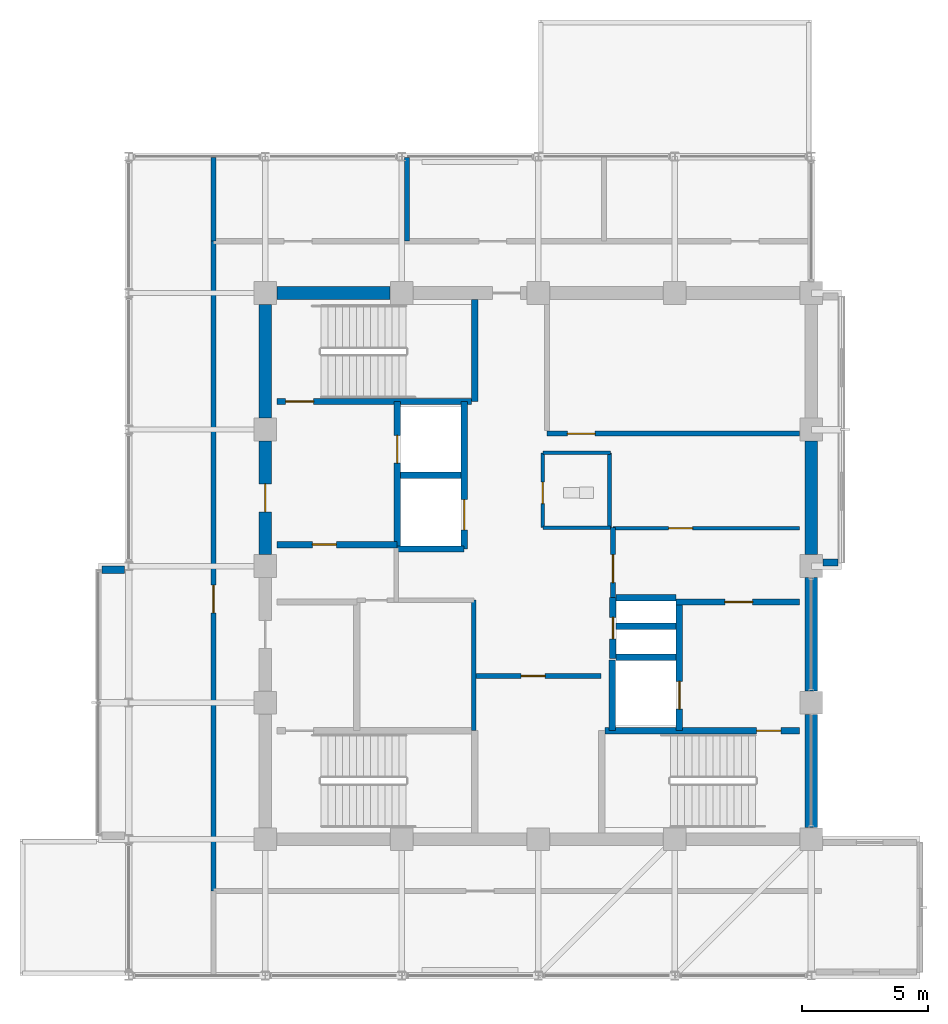
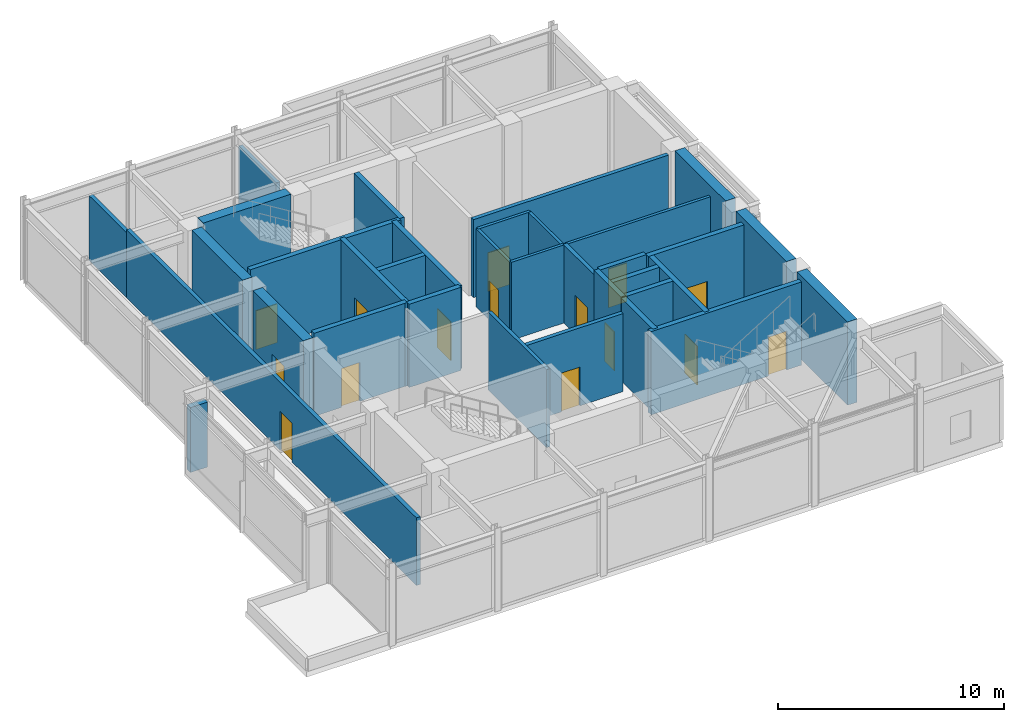
# One storey, part 14 of 18: 35 walls, 15 doors, 15 openings.
"""IFC4 building model written with IfcOpenShell, lengths in metres."""

from ifc_helpers import new_model, si_unit, direction, frame, frame_2d, origin, place, context, subcontext, project, spatial, rectangle, extrude, material, layer, layer_set, type_object, element, fill, save


model = new_model("IFC4")

# Units and contexts
model_context = context("Model", 3, precision=1e-05, world=origin(), true_north=direction((0.0, 1.0)))
body_context = subcontext(model_context, "Body", "Model", "MODEL_VIEW")
ifc_project = project(units=[si_unit("LENGTHUNIT", "METRE"), si_unit("AREAUNIT", "SQUARE_METRE"), si_unit("VOLUMEUNIT", "CUBIC_METRE"), si_unit("PLANEANGLEUNIT", "RADIAN"), si_unit("MASSUNIT", "GRAM", prefix="KILO")], contexts=[model_context])

# Site, building, storey
site_placement = place(None, origin())
site = spatial("IfcSite", under=ifc_project, at=site_placement, CompositionType="ELEMENT")
building_placement = place(site_placement, origin())
building = spatial("IfcBuilding", under=site, at=building_placement, Name="Surkhivell Harbour Commons", CompositionType="ELEMENT")
storey_placement = place(building_placement, frame((0.0, 0.0, 355.5)))
storey = spatial("IfcBuildingStorey", under=building, at=storey_placement, Name="L92", CompositionType="ELEMENT", Elevation=355.5)

# Walls
ifc_material_1 = material(Name="Concrete C50/60", Category="concrete")
ifc_layer_1 = layer(ifc_material_1, 0.5)
ifc_layer_set_1 = layer_set([ifc_layer_1], Name="Concrete C50/60")
wall_type_1 = type_object("IfcWallType", Name="WAL-CORE-500", PredefinedType="SHEAR", material=ifc_layer_set_1)
for number, where, z_axis, x_axis, name in (
    (1, (-10.340087890625, 10.800048828125, 0.0), (0.0, 0.0, 1.0), (1.0, 0.0, 0.0), "L92 Core Shear Wall North 1"),
    (2, (10.800048828125, -10.340087890625, 0.0), (0.0, 0.0, 1.0), (0.0, 1.0, 0.0), "L92 Core Shear Wall East 1"),
    (3, (10.800048828125, -4.93994140625, 0.0), (0.0, 0.0, 1.0), (0.0, 1.0, 0.0), "L92 Core Shear Wall East 2"),
):
    element("IfcWall", number, at=place(storey_placement, frame(where, z_axis=z_axis, x_axis=x_axis)), inside=storey, type_object=wall_type_1, Name=name, PredefinedType="SHEAR", context=body_context, shape_type="SweptSolid", body=[
        extrude(rectangle(XDim=4.47998046875, YDim=0.5, at=frame_2d((2.239990234375, 0.0))), origin(), (0.0, 0.0, 1.0), 4.5),
    ])

# Wall, opening, door
wall_1_placement = place(storey_placement, frame((-10.800048828125, 0.4599609375, 0.0), z_axis=(0.0, 0.0, 1.0), x_axis=(0.0, 1.0, 0.0)))
wall_1 = element("IfcWall", 4, at=wall_1_placement, inside=storey, type_object=wall_type_1, Name="L92 Core Shear Wall West 3", PredefinedType="SHEAR", context=body_context, shape_type="SweptSolid", body=[
    extrude(rectangle(XDim=4.47998046875, YDim=0.5, at=frame_2d((2.239990234375, 0.0))), origin(), (0.0, 0.0, 1.0), 4.5),
])
opening_1_placement = place(wall_1_placement, frame((1.68994140625, 0.0, 0.0)))
opening_1 = element("IfcOpeningElement", 5, at=opening_1_placement, cuts=wall_1, Name="Opening ID-1", PredefinedType="OPENING", context=body_context, shape_type="SweptSolid", body=[
    extrude(rectangle(XDim=1.10009765625, YDim=2.10009765625, at=frame_2d((0.550048828125, 1.050048828125))), frame((0.0, 0.260009765625, 0.0), z_axis=(0.0, -1.0, 0.0), x_axis=(1.0, 0.0, 0.0)), (0.0, 0.0, 1.0), 0.52001953125),
])
ifc_material_2 = material(Name="Hardwood-veneered fire-rated door leaf", Category="wood")
door_type_1 = type_object("IfcDoorType", Name="DOR-FD120-1100", OperationType="NOTDEFINED", PredefinedType="DOOR", material=ifc_material_2)
door_1_placement = place(opening_1_placement, origin())
door_1 = element("IfcDoor", 6, at=door_1_placement, inside=storey, type_object=door_type_1, Name="L92 Firefighting Lobby 1 Corridor Door", OperationType="SINGLE_SWING_LEFT", OverallHeight=2.10009765625, OverallWidth=1.10009765625, PredefinedType="DOOR", context=body_context, shape_type="SweptSolid", body=[
    extrude(rectangle(XDim=1.10009765625, YDim=2.10009765625, at=frame_2d((0.550048828125, 1.050048828125))), frame((0.0, 0.02490234375, 0.0), z_axis=(0.0, -1.0, 0.0), x_axis=(1.0, 0.0, 0.0)), (0.0, 0.0, 1.0), 0.050048828125),
])
fill(opening_1, door_1)

# Walls
for number, where, z_axis, x_axis, name in (
    (7, (10.800048828125, 0.4599609375, 0.0), (0.0, 0.0, 1.0), (0.0, 1.0, 0.0), "L92 Core Shear Wall East 3"),
    (8, (-10.800048828125, 5.860107421875, 0.0), (0.0, 0.0, 1.0), (0.0, 1.0, 0.0), "L92 Core Shear Wall West 4"),
):
    element("IfcWall", number, at=place(storey_placement, frame(where, z_axis=z_axis, x_axis=x_axis)), inside=storey, type_object=wall_type_1, Name=name, PredefinedType="SHEAR", context=body_context, shape_type="SweptSolid", body=[
        extrude(rectangle(XDim=4.47998046875, YDim=0.5, at=frame_2d((2.239990234375, 0.0))), origin(), (0.0, 0.0, 1.0), 4.5),
    ])
ifc_material_3 = material(Name="Flemish-bond kiln brick and precast concrete C45/55", Category="masonry")
ifc_layer_2 = layer(ifc_material_3, 0.300048828125)
ifc_layer_set_2 = layer_set([ifc_layer_2], Name="Flemish-bond kiln brick and precast concrete C45/55")
wall_type_2 = type_object("IfcWallType", Name="WAL-EXT-BRK300", PredefinedType="STANDARD", material=ifc_layer_set_2)
wall_2_placement = place(storey_placement, frame((-17.260009765625, -0.139892578125, 0.0), z_axis=(0.0, 0.0, 1.0), x_axis=(1.0, 0.0, 0.0)))
element("IfcWall", 9, at=wall_2_placement, inside=storey, type_object=wall_type_2, Name="L92 Coloured Box Return Wall 03N", PredefinedType="STANDARD", context=body_context, shape_type="SweptSolid", body=[
    extrude(rectangle(XDim=0.885986328125, YDim=0.300048828125, at=frame_2d((0.44287109375, 0.0))), origin(), (0.0, 0.0, 1.0), 3.507080078125),
])
ifc_material_4 = material(Name="Terracotta-clad reinforced concrete C45/55", Category="masonry")
ifc_layer_3 = layer(ifc_material_4, 0.280029296875)
ifc_layer_set_3 = layer_set([ifc_layer_3], Name="Terracotta-clad reinforced concrete C45/55")
wall_type_3 = type_object("IfcWallType", Name="WAL-EXT-TER280", PredefinedType="STANDARD", material=ifc_layer_set_3)
wall_3_placement = place(storey_placement, frame((11.25390625, 0.139892578125, 0.0), z_axis=(0.0, 0.0, 1.0), x_axis=(1.0, 0.0, 0.0)))
element("IfcWall", 10, at=wall_3_placement, inside=storey, type_object=wall_type_3, Name="L92 Coloured Box Return Wall 02S", PredefinedType="STANDARD", context=body_context, shape_type="SweptSolid", body=[
    extrude(rectangle(XDim=0.606201171875, YDim=0.280029296875, at=frame_2d((0.30322265625, 0.0))), origin(), (0.0, 0.0, 1.0), 3.507080078125),
])
ifc_material_5 = material(Name="Twin-stud acoustic fireboard partition", Category="other")
ifc_layer_4 = layer(ifc_material_5, 0.14990234375)
ifc_layer_set_4 = layer_set([ifc_layer_4], Name="Twin-stud acoustic fireboard partition")
wall_type_4 = type_object("IfcWallType", Name="WAL-INT-150", PredefinedType="PARTITIONING", material=ifc_layer_set_4)
wall_4_placement = place(storey_placement, frame((2.820068359375, 1.52001953125, 0.0), z_axis=(0.0, 0.0, 1.0), x_axis=(0.0, 1.0, 0.0)))
element("IfcWall", 11, at=wall_4_placement, inside=storey, type_object=wall_type_4, Name="L92 Core Accessible WC East Wall", PredefinedType="PARTITIONING", context=body_context, shape_type="SweptSolid", body=[
    extrude(rectangle(XDim=2.9599609375, YDim=0.14990234375, at=frame_2d((1.47998046875, 0.0))), origin(), (0.0, 0.0, 1.0), 4.219970703125),
])
for number, where, z_axis, x_axis, name in (
    (12, (0.179931640625, 4.47998046875, 0.0), (0.0, 0.0, 1.0), (1.0, 0.0, 0.0), "L92 Core Accessible WC North Wall"),
    (13, (0.179931640625, 1.52001953125, 0.0), (0.0, 0.0, 1.0), (1.0, 0.0, 0.0), "L92 Core Accessible WC South Wall"),
):
    element("IfcWall", number, at=place(storey_placement, frame(where, z_axis=z_axis, x_axis=x_axis)), inside=storey, type_object=wall_type_4, Name=name, PredefinedType="PARTITIONING", context=body_context, shape_type="SweptSolid", body=[
        extrude(rectangle(XDim=2.670166015625, YDim=0.14990234375, at=frame_2d((1.3349609375, 0.0))), origin(), (0.0, 0.0, 1.0), 4.219970703125),
    ])

# Wall, opening, door
wall_5_placement = place(storey_placement, frame((0.179931640625, 1.52001953125, 0.0), z_axis=(0.0, 0.0, 1.0), x_axis=(0.0, 1.0, 0.0)))
wall_5 = element("IfcWall", 14, at=wall_5_placement, inside=storey, type_object=wall_type_4, Name="L92 Core Accessible WC West Wall", PredefinedType="PARTITIONING", context=body_context, shape_type="SweptSolid", body=[
    extrude(rectangle(XDim=2.9599609375, YDim=0.14990234375, at=frame_2d((1.47998046875, 0.0))), origin(), (0.0, 0.0, 1.0), 4.219970703125),
])
opening_2_placement = place(wall_5_placement, frame((0.949951171875, 0.0, 0.0)))
opening_2 = element("IfcOpeningElement", 15, at=opening_2_placement, cuts=wall_5, Name="Opening ID-6", PredefinedType="OPENING", context=body_context, shape_type="SweptSolid", body=[
    extrude(rectangle(XDim=0.85009765625, YDim=2.10009765625, at=frame_2d((0.425048828125, 1.050048828125))), frame((0.0, 0.0849609375, 0.0), z_axis=(0.0, -1.0, 0.0), x_axis=(1.0, 0.0, 0.0)), (0.0, 0.0, 1.0), 0.169921875),
])
door_type_2 = type_object("IfcDoorType", Name="DOR-FD30-850", OperationType="NOTDEFINED", PredefinedType="DOOR", material=ifc_material_2)
door_2_placement = place(opening_2_placement, origin())
door_2 = element("IfcDoor", 16, at=door_2_placement, inside=storey, type_object=door_type_2, Name="L92 Floor Accessible WC Door", OperationType="SINGLE_SWING_RIGHT", OverallHeight=2.10009765625, OverallWidth=0.85009765625, PredefinedType="DOOR", context=body_context, shape_type="SweptSolid", body=[
    extrude(rectangle(XDim=0.85009765625, YDim=2.10009765625, at=frame_2d((0.425048828125, 1.050048828125))), frame((0.0, 0.02490234375, 0.0), z_axis=(0.0, -1.0, 0.0), x_axis=(1.0, 0.0, 0.0)), (0.0, 0.0, 1.0), 0.050048828125),
])
fill(opening_2, door_2)

wall_6_placement = place(storey_placement, frame((2.949951171875, 1.5, 0.0), z_axis=(0.0, 0.0, 1.0), x_axis=(1.0, 0.0, 0.0)))
wall_6 = element("IfcWall", 17, at=wall_6_placement, inside=storey, type_object=wall_type_4, Name="L92 Crown East Core Corridor Wall", PredefinedType="PARTITIONING", context=body_context, shape_type="SweptSolid", body=[
    extrude(rectangle(XDim=7.39013671875, YDim=0.14990234375, at=frame_2d((3.695068359375, 0.0))), origin(), (0.0, 0.0, 1.0), 4.219970703125),
])
opening_3_placement = place(wall_6_placement, frame((2.199951171875, 0.0, 0.0)))
opening_3 = element("IfcOpeningElement", 18, at=opening_3_placement, cuts=wall_6, Name="Opening ID-4", PredefinedType="OPENING", context=body_context, shape_type="SweptSolid", body=[
    extrude(rectangle(XDim=0.949951171875, YDim=2.10009765625, at=frame_2d((0.47509765625, 1.050048828125))), frame((0.0, 0.0849609375, 0.0), z_axis=(0.0, -1.0, 0.0), x_axis=(1.0, 0.0, 0.0)), (0.0, 0.0, 1.0), 0.169921875),
])
door_type_3 = type_object("IfcDoorType", Name="DOR-FD60-950", OperationType="NOTDEFINED", PredefinedType="DOOR", material=ifc_material_2)
door_3_placement = place(opening_3_placement, origin())
door_3 = element("IfcDoor", 19, at=door_3_placement, inside=storey, type_object=door_type_3, Name="L92 Crown East Room Door", OperationType="SINGLE_SWING_RIGHT", OverallHeight=2.10009765625, OverallWidth=0.949951171875, PredefinedType="DOOR", context=body_context, shape_type="SweptSolid", body=[
    extrude(rectangle(XDim=0.949951171875, YDim=2.10009765625, at=frame_2d((0.47509765625, 1.050048828125))), frame((0.0, 0.02490234375, 0.0), z_axis=(0.0, -1.0, 0.0), x_axis=(1.0, 0.0, 0.0)), (0.0, 0.0, 1.0), 0.050048828125),
])
fill(opening_3, door_3)

# Wall
ifc_material_6 = material(Name="High-density acoustic blockwork fire partition", Category="masonry")
ifc_layer_5 = layer(ifc_material_6, 0.175048828125)
ifc_layer_set_5 = layer_set([ifc_layer_5], Name="High-density acoustic blockwork fire partition")
wall_type_5 = type_object("IfcWallType", Name="WAL-INT-175", PredefinedType="PARTITIONING", material=ifc_layer_set_5)
wall_7_placement = place(storey_placement, frame((-2.550048828125, -6.510009765625, 0.0), z_axis=(0.0, 0.0, 1.0), x_axis=(0.0, 1.0, 0.0)))
element("IfcWall", 20, at=wall_7_placement, inside=storey, type_object=wall_type_5, Name="L92 Core Service Bay East Wall", PredefinedType="PARTITIONING", context=body_context, shape_type="SweptSolid", body=[
    extrude(rectangle(XDim=5.159912109375, YDim=0.175048828125, at=frame_2d((2.580078125, 0.0))), origin(), (0.0, 0.0, 1.0), 4.219970703125),
])

# Wall, opening, door
ifc_material_7 = material(Name="Autoclaved aerated concrete blockwork and fire plaster", Category="masonry")
ifc_layer_6 = layer(ifc_material_7, 0.199951171875)
ifc_layer_set_6 = layer_set([ifc_layer_6], Name="Autoclaved aerated concrete blockwork and fire plaster")
wall_type_6 = type_object("IfcWallType", Name="WAL-INT-200", PredefinedType="PARTITIONING", material=ifc_layer_set_6)
wall_8_placement = place(storey_placement, frame((-2.47998046875, -4.35009765625, 0.0), z_axis=(0.0, 0.0, 1.0), x_axis=(1.0, 0.0, 0.0)))
wall_8 = element("IfcWall", 21, at=wall_8_placement, inside=storey, type_object=wall_type_6, Name="L92 Core Maintenance Store North Wall", PredefinedType="PARTITIONING", context=body_context, shape_type="SweptSolid", body=[
    extrude(rectangle(XDim=4.9599609375, YDim=0.199951171875, at=frame_2d((2.47998046875, 0.0))), origin(), (0.0, 0.0, 1.0), 4.219970703125),
])
opening_4_placement = place(wall_8_placement, frame((1.800048828125, 0.0, 0.0)))
opening_4 = element("IfcOpeningElement", 22, at=opening_4_placement, cuts=wall_8, Name="Opening ID-4", PredefinedType="OPENING", context=body_context, shape_type="SweptSolid", body=[
    extrude(rectangle(XDim=0.949951171875, YDim=2.10009765625, at=frame_2d((0.47509765625, 1.050048828125))), frame((0.0, 0.10986328125, 0.0), z_axis=(0.0, -1.0, 0.0), x_axis=(1.0, 0.0, 0.0)), (0.0, 0.0, 1.0), 0.219970703125),
])
door_4_placement = place(opening_4_placement, origin())
door_4 = element("IfcDoor", 23, at=door_4_placement, inside=storey, type_object=door_type_3, Name="L92 Maintenance Store Door", OperationType="SINGLE_SWING_LEFT", OverallHeight=2.10009765625, OverallWidth=0.949951171875, PredefinedType="DOOR", context=body_context, shape_type="SweptSolid", body=[
    extrude(rectangle(XDim=0.949951171875, YDim=2.10009765625, at=frame_2d((0.47509765625, 1.050048828125))), frame((0.0, 0.02490234375, 0.0), z_axis=(0.0, -1.0, 0.0), x_axis=(1.0, 0.0, 0.0)), (0.0, 0.0, 1.0), 0.050048828125),
])
fill(opening_4, door_4)

wall_9_placement = place(storey_placement, frame((0.35009765625, 5.239990234375, 0.0), z_axis=(0.0, 0.0, 1.0), x_axis=(1.0, 0.0, 0.0)))
wall_9 = element("IfcWall", 24, at=wall_9_placement, inside=storey, type_object=wall_type_6, Name="L92 Reclaimed Core North Bay South Wall", PredefinedType="PARTITIONING", context=body_context, shape_type="SweptSolid", body=[
    extrude(rectangle(XDim=9.989990234375, YDim=0.199951171875, at=frame_2d((4.9951171875, 0.0))), origin(), (0.0, 0.0, 1.0), 4.219970703125),
])
opening_5_placement = place(wall_9_placement, frame((0.800048828125, 0.0, 0.0)))
opening_5 = element("IfcOpeningElement", 25, at=opening_5_placement, cuts=wall_9, Name="Opening ID-2", PredefinedType="OPENING", context=body_context, shape_type="SweptSolid", body=[
    extrude(rectangle(XDim=1.10009765625, YDim=2.10009765625, at=frame_2d((0.550048828125, 1.050048828125))), frame((0.0, 0.10986328125, 0.0), z_axis=(0.0, -1.0, 0.0), x_axis=(1.0, 0.0, 0.0)), (0.0, 0.0, 1.0), 0.219970703125),
])
door_type_4 = type_object("IfcDoorType", Name="DOR-FD60-1100", OperationType="NOTDEFINED", PredefinedType="DOOR", material=ifc_material_2)
door_5_placement = place(opening_5_placement, origin())
door_5 = element("IfcDoor", 26, at=door_5_placement, inside=storey, type_object=door_type_4, Name="L92 Core Fan Room Door", OperationType="SINGLE_SWING_LEFT", OverallHeight=2.10009765625, OverallWidth=1.10009765625, PredefinedType="DOOR", context=body_context, shape_type="SweptSolid", body=[
    extrude(rectangle(XDim=1.10009765625, YDim=2.10009765625, at=frame_2d((0.550048828125, 1.050048828125))), frame((0.0, 0.02490234375, 0.0), z_axis=(0.0, -1.0, 0.0), x_axis=(1.0, 0.0, 0.0)), (0.0, 0.0, 1.0), 0.050048828125),
])
fill(opening_5, door_5)

# Wall
wall_10_placement = place(storey_placement, frame((-5.199951171875, 12.85009765625, 0.0), z_axis=(0.0, 0.0, 1.0), x_axis=(0.0, 1.0, 0.0)))
element("IfcWall", 27, at=wall_10_placement, inside=storey, type_object=wall_type_6, Name="L92 Cooling Bay Wall 1", PredefinedType="PARTITIONING", context=body_context, shape_type="SweptSolid", body=[
    extrude(rectangle(XDim=3.309814453125, YDim=0.199951171875, at=frame_2d((1.65478515625, 0.0))), origin(), (0.0, 0.0, 1.0), 3.507080078125),
])

# Wall, opening, door
wall_11_placement = place(storey_placement, frame((2.949951171875, -1.25, 0.0), z_axis=(0.0, 0.0, 1.0), x_axis=(0.0, 1.0, 0.0)))
wall_11 = element("IfcWall", 28, at=wall_11_placement, inside=storey, type_object=wall_type_6, Name="L92 Reclaimed East Core West Wall", PredefinedType="PARTITIONING", context=body_context, shape_type="SweptSolid", body=[
    extrude(rectangle(XDim=2.77001953125, YDim=0.199951171875, at=frame_2d((1.385009765625, 0.0))), origin(), (0.0, 0.0, 1.0), 4.219970703125),
])
opening_6_placement = place(wall_11_placement, frame((0.60009765625, 0.0, 0.0)))
opening_6 = element("IfcOpeningElement", 29, at=opening_6_placement, cuts=wall_11, Name="Opening ID-2", PredefinedType="OPENING", context=body_context, shape_type="SweptSolid", body=[
    extrude(rectangle(XDim=1.10009765625, YDim=2.10009765625, at=frame_2d((0.550048828125, 1.050048828125))), frame((0.0, 0.10986328125, 0.0), z_axis=(0.0, -1.0, 0.0), x_axis=(1.0, 0.0, 0.0)), (0.0, 0.0, 1.0), 0.219970703125),
])
door_6_placement = place(opening_6_placement, origin())
door_6 = element("IfcDoor", 30, at=door_6_placement, inside=storey, type_object=door_type_4, Name="L92 Crown East Escape Door", OperationType="SINGLE_SWING_LEFT", OverallHeight=2.10009765625, OverallWidth=1.10009765625, PredefinedType="DOOR", context=body_context, shape_type="SweptSolid", body=[
    extrude(rectangle(XDim=1.10009765625, YDim=2.10009765625, at=frame_2d((0.550048828125, 1.050048828125))), frame((0.0, 0.02490234375, 0.0), z_axis=(0.0, -1.0, 0.0), x_axis=(1.0, 0.0, 0.0)), (0.0, 0.0, 1.0), 0.050048828125),
])
fill(opening_6, door_6)

# Wall
wall_12_placement = place(storey_placement, frame((-12.85009765625, 12.85009765625, 0.0), z_axis=(0.0, 0.0, 1.0), x_axis=(0.0, 1.0, 0.0)))
element("IfcWall", 31, at=wall_12_placement, inside=storey, type_object=wall_type_6, Name="L92 Crown NW Corner Wall", PredefinedType="PARTITIONING", context=body_context, shape_type="SweptSolid", body=[
    extrude(rectangle(XDim=3.309814453125, YDim=0.199951171875, at=frame_2d((1.65478515625, 0.0))), origin(), (0.0, 0.0, 1.0), 3.507080078125),
])

# Wall, opening, door
wall_13_placement = place(storey_placement, frame((-12.85009765625, -12.85009765625, 0.0), z_axis=(0.0, 0.0, 1.0), x_axis=(0.0, 1.0, 0.0)))
wall_13 = element("IfcWall", 32, at=wall_13_placement, inside=storey, type_object=wall_type_6, Name="L92 Crown Corridor West Wall", PredefinedType="PARTITIONING", context=body_context, shape_type="SweptSolid", body=[
    extrude(rectangle(XDim=25.7001953125, YDim=0.199951171875, at=frame_2d((12.85009765625, 0.0))), origin(), (0.0, 0.0, 1.0), 3.6630859375),
])
opening_7_placement = place(wall_13_placement, frame((11.0, 0.0, 0.0)))
opening_7 = element("IfcOpeningElement", 33, at=opening_7_placement, cuts=wall_13, Name="Opening ID-2", PredefinedType="OPENING", context=body_context, shape_type="SweptSolid", body=[
    extrude(rectangle(XDim=1.10009765625, YDim=2.10009765625, at=frame_2d((0.550048828125, 1.050048828125))), frame((0.0, 0.10986328125, 0.0), z_axis=(0.0, -1.0, 0.0), x_axis=(1.0, 0.0, 0.0)), (0.0, 0.0, 1.0), 0.219970703125),
])
door_7_placement = place(opening_7_placement, origin())
door_7 = element("IfcDoor", 34, at=door_7_placement, inside=storey, type_object=door_type_4, Name="L92 L92 Make-Up Water Tank Hall Door", OperationType="SINGLE_SWING_LEFT", OverallHeight=2.10009765625, OverallWidth=1.10009765625, PredefinedType="DOOR", context=body_context, shape_type="SweptSolid", body=[
    extrude(rectangle(XDim=1.10009765625, YDim=2.10009765625, at=frame_2d((0.550048828125, 1.050048828125))), frame((0.0, 0.02490234375, 0.0), z_axis=(0.0, -1.0, 0.0), x_axis=(1.0, 0.0, 0.0)), (0.0, 0.0, 1.0), 0.050048828125),
])
fill(opening_7, door_7)

ifc_layer_7 = layer(ifc_material_1, 0.25)
ifc_layer_set_7 = layer_set([ifc_layer_7], Name="Concrete C50/60")
wall_type_7 = type_object("IfcWallType", Name="WAL-SHAFT-250", PredefinedType="SHEAR", material=ifc_layer_set_7)
wall_14_placement = place(storey_placement, frame((-5.580078125, 0.719970703125, 0.0), z_axis=(0.0, 0.0, 1.0), x_axis=(0.0, 1.0, 0.0)))
wall_14 = element("IfcWall", 35, at=wall_14_placement, inside=storey, type_object=wall_type_7, Name="L92 Firefighting Lobby 1 East Shaft Wall", PredefinedType="SHEAR", context=body_context, shape_type="SweptSolid", body=[
    extrude(rectangle(XDim=5.7900390625, YDim=0.25, at=frame_2d((2.89501953125, 0.0))), origin(), (0.0, 0.0, 1.0), 4.5),
])
opening_8_placement = place(wall_14_placement, frame((3.35009765625, 0.0, 0.0)))
opening_8 = element("IfcOpeningElement", 36, at=opening_8_placement, cuts=wall_14, Name="Opening LD-1", PredefinedType="OPENING", context=body_context, shape_type="SweptSolid", body=[
    extrude(rectangle(XDim=1.10009765625, YDim=2.10009765625, at=frame_2d((0.550048828125, 1.050048828125))), frame((0.0, 0.135009765625, 0.0), z_axis=(0.0, -1.0, 0.0), x_axis=(1.0, 0.0, 0.0)), (0.0, 0.0, 1.0), 0.27001953125),
])
ifc_material_8 = material(Name="Brushed stainless steel S355", Category="steel")
door_type_5 = type_object("IfcDoorType", Name="DOR-LD-1100", OperationType="SLIDING_TO_LEFT", PredefinedType="DOOR", material=ifc_material_8)
door_8_placement = place(opening_8_placement, origin())
door_8 = element("IfcDoor", 37, at=door_8_placement, inside=storey, type_object=door_type_5, Name="L92 Lift Landing Door LD-FFL1", OperationType="SLIDING_TO_LEFT", OverallHeight=2.10009765625, OverallWidth=1.10009765625, PredefinedType="DOOR", context=body_context, shape_type="SweptSolid", body=[
    extrude(rectangle(XDim=1.10009765625, YDim=2.10009765625, at=frame_2d((0.550048828125, 1.050048828125))), frame((0.0, 0.02490234375, 0.0), z_axis=(0.0, -1.0, 0.0), x_axis=(1.0, 0.0, 0.0)), (0.0, 0.0, 1.0), 0.050048828125),
])
fill(opening_8, door_8)

wall_15_placement = place(storey_placement, frame((-10.340087890625, 0.85009765625, 0.0), z_axis=(0.0, 0.0, 1.0), x_axis=(1.0, 0.0, 0.0)))
wall_15 = element("IfcWall", 38, at=wall_15_placement, inside=storey, type_object=wall_type_7, Name="L92 Firefighting Lobby 1 South Wall", PredefinedType="SHEAR", context=body_context, shape_type="SweptSolid", body=[
    extrude(rectangle(XDim=4.760009765625, YDim=0.25, at=frame_2d((2.3798828125, 0.0))), origin(), (0.0, 0.0, 1.0), 4.5),
])
opening_9_placement = place(wall_15_placement, frame((1.39990234375, 0.0, 0.0)))
opening_9 = element("IfcOpeningElement", 39, at=opening_9_placement, cuts=wall_15, Name="Opening ID-4", PredefinedType="OPENING", context=body_context, shape_type="SweptSolid", body=[
    extrude(rectangle(XDim=0.949951171875, YDim=2.10009765625, at=frame_2d((0.47509765625, 1.050048828125))), frame((0.0, 0.135009765625, 0.0), z_axis=(0.0, -1.0, 0.0), x_axis=(1.0, 0.0, 0.0)), (0.0, 0.0, 1.0), 0.27001953125),
])
door_9_placement = place(opening_9_placement, origin())
door_9 = element("IfcDoor", 40, at=door_9_placement, inside=storey, type_object=door_type_3, Name="L92 Core BMS Room Door", OperationType="SINGLE_SWING_RIGHT", OverallHeight=2.10009765625, OverallWidth=0.949951171875, PredefinedType="DOOR", context=body_context, shape_type="SweptSolid", body=[
    extrude(rectangle(XDim=0.949951171875, YDim=2.10009765625, at=frame_2d((0.47509765625, 1.050048828125))), frame((0.0, 0.02490234375, 0.0), z_axis=(0.0, -1.0, 0.0), x_axis=(1.0, 0.0, 0.0)), (0.0, 0.0, 1.0), 0.050048828125),
])
fill(opening_9, door_9)

# Wall
wall_16_placement = place(storey_placement, frame((2.929931640625, -6.510009765625, 0.0), z_axis=(0.0, 0.0, 1.0), x_axis=(0.0, 1.0, 0.0)))
element("IfcWall", 41, at=wall_16_placement, inside=storey, type_object=wall_type_7, Name="L92 FFL2 West Shaft Wall", PredefinedType="SHEAR", context=body_context, shape_type="SweptSolid", body=[
    extrude(rectangle(XDim=2.7900390625, YDim=0.25, at=frame_2d((1.39501953125, 0.0))), origin(), (0.0, 0.0, 1.0), 4.5),
])

# Wall, opening, door
wall_17_placement = place(storey_placement, frame((5.43994140625, -1.419921875, 0.0), z_axis=(0.0, 0.0, 1.0), x_axis=(1.0, 0.0, 0.0)))
wall_17 = element("IfcWall", 42, at=wall_17_placement, inside=storey, type_object=wall_type_7, Name="L92 Firefighting Lobby 2 North Wall", PredefinedType="SHEAR", context=body_context, shape_type="SweptSolid", body=[
    extrude(rectangle(XDim=4.900146484375, YDim=0.25, at=frame_2d((2.4501953125, 0.0))), origin(), (0.0, 0.0, 1.0), 4.5),
])
opening_10_placement = place(wall_17_placement, frame((1.93994140625, 0.0, 0.0)))
opening_10 = element("IfcOpeningElement", 43, at=opening_10_placement, cuts=wall_17, Name="Opening ID-1", PredefinedType="OPENING", context=body_context, shape_type="SweptSolid", body=[
    extrude(rectangle(XDim=1.10009765625, YDim=2.10009765625, at=frame_2d((0.550048828125, 1.050048828125))), frame((0.0, 0.135009765625, 0.0), z_axis=(0.0, -1.0, 0.0), x_axis=(1.0, 0.0, 0.0)), (0.0, 0.0, 1.0), 0.27001953125),
])
door_10_placement = place(opening_10_placement, origin())
door_10 = element("IfcDoor", 44, at=door_10_placement, inside=storey, type_object=door_type_1, Name="L92 Firefighting Lobby 2 Inner Door", OperationType="SINGLE_SWING_LEFT", OverallHeight=2.10009765625, OverallWidth=1.10009765625, PredefinedType="DOOR", context=body_context, shape_type="SweptSolid", body=[
    extrude(rectangle(XDim=1.10009765625, YDim=2.10009765625, at=frame_2d((0.550048828125, 1.050048828125))), frame((0.0, 0.02490234375, 0.0), z_axis=(0.0, -1.0, 0.0), x_axis=(1.0, 0.0, 0.0)), (0.0, 0.0, 1.0), 0.050048828125),
])
fill(opening_10, door_10)

# Wall
wall_18_placement = place(storey_placement, frame((3.080078125, -3.60009765625, 0.0), z_axis=(0.0, 0.0, 1.0), x_axis=(1.0, 0.0, 0.0)))
element("IfcWall", 45, at=wall_18_placement, inside=storey, type_object=wall_type_7, Name="L92 FFL2 North Shaft Wall", PredefinedType="SHEAR", context=body_context, shape_type="SweptSolid", body=[
    extrude(rectangle(XDim=2.369873046875, YDim=0.25, at=frame_2d((1.18505859375, 0.0))), origin(), (0.0, 0.0, 1.0), 4.5),
])

# Wall, opening, door
wall_19_placement = place(storey_placement, frame((5.580078125, -6.510009765625, 0.0), z_axis=(0.0, 0.0, 1.0), x_axis=(0.0, 1.0, 0.0)))
wall_19 = element("IfcWall", 46, at=wall_19_placement, inside=storey, type_object=wall_type_7, Name="L92 Firefighting Lobby 2 West Shaft Wall", PredefinedType="SHEAR", context=body_context, shape_type="SweptSolid", body=[
    extrude(rectangle(XDim=5.090087890625, YDim=0.25, at=frame_2d((2.544921875, 0.0))), origin(), (0.0, 0.0, 1.0), 4.5),
])
opening_11_placement = place(wall_19_placement, frame((0.85009765625, 0.0, 0.0)))
opening_11 = element("IfcOpeningElement", 47, at=opening_11_placement, cuts=wall_19, Name="Opening LD-1", PredefinedType="OPENING", context=body_context, shape_type="SweptSolid", body=[
    extrude(rectangle(XDim=1.10009765625, YDim=2.10009765625, at=frame_2d((0.550048828125, 1.050048828125))), frame((0.0, 0.135009765625, 0.0), z_axis=(0.0, -1.0, 0.0), x_axis=(1.0, 0.0, 0.0)), (0.0, 0.0, 1.0), 0.27001953125),
])
door_11_placement = place(opening_11_placement, origin())
door_11 = element("IfcDoor", 48, at=door_11_placement, inside=storey, type_object=door_type_5, Name="L92 Lift Landing Door LD-FFL2", OperationType="SLIDING_TO_RIGHT", OverallHeight=2.10009765625, OverallWidth=1.10009765625, PredefinedType="DOOR", context=body_context, shape_type="SweptSolid", body=[
    extrude(rectangle(XDim=1.10009765625, YDim=2.10009765625, at=frame_2d((0.550048828125, 1.050048828125))), frame((0.0, 0.02490234375, 0.0), z_axis=(0.0, -1.0, 0.0), x_axis=(1.0, 0.0, 0.0)), (0.0, 0.0, 1.0), 0.050048828125),
])
fill(opening_11, door_11)

# Walls
for number, where, z_axis, x_axis, name in (
    (49, (3.080078125, -2.3798828125, 0.0), (0.0, 0.0, 1.0), (1.0, 0.0, 0.0), "L92 Riser Divider Wall"),
    (50, (3.080078125, -1.25, 0.0), (0.0, 0.0, 1.0), (1.0, 0.0, 0.0), "L92 Riser North Wall"),
):
    element("IfcWall", number, at=place(storey_placement, frame(where, z_axis=z_axis, x_axis=x_axis)), inside=storey, type_object=wall_type_7, Name=name, PredefinedType="SHEAR", context=body_context, shape_type="SweptSolid", body=[
        extrude(rectangle(XDim=2.369873046875, YDim=0.25, at=frame_2d((1.18505859375, 0.0))), origin(), (0.0, 0.0, 1.0), 4.5),
    ])

# Wall, opening, door
wall_20_placement = place(storey_placement, frame((2.949951171875, -3.64990234375, 0.0), z_axis=(0.0, 0.0, 1.0), x_axis=(0.0, 1.0, 0.0)))
wall_20 = element("IfcWall", 51, at=wall_20_placement, inside=storey, type_object=wall_type_7, Name="L92 Riser Shaft West Wall", PredefinedType="SHEAR", context=body_context, shape_type="SweptSolid", body=[
    extrude(rectangle(XDim=2.39990234375, YDim=0.25, at=frame_2d((1.199951171875, 0.0))), origin(), (0.0, 0.0, 1.0), 4.5),
])
opening_12_placement = place(wall_20_placement, frame((0.77490234375, 0.0, 0.0)))
opening_12 = element("IfcOpeningElement", 52, at=opening_12_placement, cuts=wall_20, Name="Opening ID-6", PredefinedType="OPENING", context=body_context, shape_type="SweptSolid", body=[
    extrude(rectangle(XDim=0.85009765625, YDim=2.10009765625, at=frame_2d((0.425048828125, 1.050048828125))), frame((0.0, 0.135009765625, 0.0), z_axis=(0.0, -1.0, 0.0), x_axis=(1.0, 0.0, 0.0)), (0.0, 0.0, 1.0), 0.27001953125),
])
door_12_placement = place(opening_12_placement, origin())
door_12 = element("IfcDoor", 53, at=door_12_placement, inside=storey, type_object=door_type_2, Name="L92 Electrical Riser Access Door", OperationType="SINGLE_SWING_LEFT", OverallHeight=2.10009765625, OverallWidth=0.85009765625, PredefinedType="DOOR", context=body_context, shape_type="SweptSolid", body=[
    extrude(rectangle(XDim=0.85009765625, YDim=2.10009765625, at=frame_2d((0.425048828125, 1.050048828125))), frame((0.0, 0.02490234375, 0.0), z_axis=(0.0, -1.0, 0.0), x_axis=(1.0, 0.0, 0.0)), (0.0, 0.0, 1.0), 0.050048828125),
])
fill(opening_12, door_12)

# Wall
wall_21_placement = place(storey_placement, frame((-2.510009765625, 6.510009765625, 0.0), z_axis=(0.0, 0.0, 1.0), x_axis=(0.0, 1.0, 0.0)))
element("IfcWall", 54, at=wall_21_placement, inside=storey, type_object=wall_type_7, Name="L92 Stair ST1 East Shear Wall", PredefinedType="SHEAR", context=body_context, shape_type="SweptSolid", body=[
    extrude(rectangle(XDim=4.0400390625, YDim=0.25, at=frame_2d((2.02001953125, 0.0))), origin(), (0.0, 0.0, 1.0), 4.5),
])

# Wall, opening, door
wall_22_placement = place(storey_placement, frame((-10.340087890625, 6.510009765625, 0.0), z_axis=(0.0, 0.0, 1.0), x_axis=(1.0, 0.0, 0.0)))
wall_22 = element("IfcWall", 55, at=wall_22_placement, inside=storey, type_object=wall_type_7, Name="L92 Stair ST1 South Shear Wall", PredefinedType="SHEAR", context=body_context, shape_type="SweptSolid", body=[
    extrude(rectangle(XDim=7.7001953125, YDim=0.25, at=frame_2d((3.85009765625, 0.0))), origin(), (0.0, 0.0, 1.0), 4.5),
])
opening_13_placement = place(wall_22_placement, frame((0.35009765625, 0.0, 0.0)))
opening_13 = element("IfcOpeningElement", 56, at=opening_13_placement, cuts=wall_22, Name="Opening ID-2", PredefinedType="OPENING", context=body_context, shape_type="SweptSolid", body=[
    extrude(rectangle(XDim=1.10009765625, YDim=2.10009765625, at=frame_2d((0.550048828125, 1.050048828125))), frame((0.0, 0.135009765625, 0.0), z_axis=(0.0, -1.0, 0.0), x_axis=(1.0, 0.0, 0.0)), (0.0, 0.0, 1.0), 0.27001953125),
])
door_13_placement = place(opening_13_placement, origin())
door_13 = element("IfcDoor", 57, at=door_13_placement, inside=storey, type_object=door_type_4, Name="L92 Stair ST1 Exit Door", OperationType="SINGLE_SWING_LEFT", OverallHeight=2.10009765625, OverallWidth=1.10009765625, PredefinedType="DOOR", context=body_context, shape_type="SweptSolid", body=[
    extrude(rectangle(XDim=1.10009765625, YDim=2.10009765625, at=frame_2d((0.550048828125, 1.050048828125))), frame((0.0, 0.02490234375, 0.0), z_axis=(0.0, -1.0, 0.0), x_axis=(1.0, 0.0, 0.0)), (0.0, 0.0, 1.0), 0.050048828125),
])
fill(opening_13, door_13)

wall_23_placement = place(storey_placement, frame((2.639892578125, -6.510009765625, 0.0), z_axis=(0.0, 0.0, 1.0), x_axis=(1.0, 0.0, 0.0)))
wall_23 = element("IfcWall", 58, at=wall_23_placement, inside=storey, type_object=wall_type_7, Name="L92 Stair ST2 North Shear Wall", PredefinedType="SHEAR", context=body_context, shape_type="SweptSolid", body=[
    extrude(rectangle(XDim=7.7001953125, YDim=0.25, at=frame_2d((3.85009765625, 0.0))), origin(), (0.0, 0.0, 1.0), 4.5),
])
opening_14_placement = place(wall_23_placement, frame((6.0, 0.0, 0.0)))
opening_14 = element("IfcOpeningElement", 59, at=opening_14_placement, cuts=wall_23, Name="Opening ID-4", PredefinedType="OPENING", context=body_context, shape_type="SweptSolid", body=[
    extrude(rectangle(XDim=0.949951171875, YDim=2.10009765625, at=frame_2d((0.47509765625, 1.050048828125))), frame((0.0, 0.135009765625, 0.0), z_axis=(0.0, -1.0, 0.0), x_axis=(1.0, 0.0, 0.0)), (0.0, 0.0, 1.0), 0.27001953125),
])
door_14_placement = place(opening_14_placement, origin())
door_14 = element("IfcDoor", 60, at=door_14_placement, inside=storey, type_object=door_type_3, Name="L92 Stair ST2 Exit Door", OperationType="SINGLE_SWING_RIGHT", OverallHeight=2.10009765625, OverallWidth=0.949951171875, PredefinedType="DOOR", context=body_context, shape_type="SweptSolid", body=[
    extrude(rectangle(XDim=0.949951171875, YDim=2.10009765625, at=frame_2d((0.47509765625, 1.050048828125))), frame((0.0, 0.02490234375, 0.0), z_axis=(0.0, -1.0, 0.0), x_axis=(1.0, 0.0, 0.0)), (0.0, 0.0, 1.0), 0.050048828125),
])
fill(opening_14, door_14)

wall_24_placement = place(storey_placement, frame((-2.929931640625, 0.679931640625, 0.0), z_axis=(0.0, 0.0, 1.0), x_axis=(0.0, 1.0, 0.0)))
wall_24 = element("IfcWall", 61, at=wall_24_placement, inside=storey, type_object=wall_type_7, Name="L92 Service and Fire Lift East Shaft Wall", PredefinedType="SHEAR", context=body_context, shape_type="SweptSolid", body=[
    extrude(rectangle(XDim=5.830078125, YDim=0.25, at=frame_2d((2.9150390625, 0.0))), origin(), (0.0, 0.0, 1.0), 4.5),
])
opening_15_placement = place(wall_24_placement, frame((0.75, 0.0, 0.0)))
opening_15 = element("IfcOpeningElement", 62, at=opening_15_placement, cuts=wall_24, Name="Opening LD-2", PredefinedType="OPENING", context=body_context, shape_type="SweptSolid", body=[
    extrude(rectangle(XDim=1.199951171875, YDim=2.10009765625, at=frame_2d((0.60009765625, 1.050048828125))), frame((0.0, 0.135009765625, 0.0), z_axis=(0.0, -1.0, 0.0), x_axis=(1.0, 0.0, 0.0)), (0.0, 0.0, 1.0), 0.27001953125),
])
door_type_6 = type_object("IfcDoorType", Name="DOR-LD-1200", OperationType="SLIDING_TO_LEFT", PredefinedType="DOOR", material=ifc_material_8)
door_15_placement = place(opening_15_placement, origin())
door_15 = element("IfcDoor", 63, at=door_15_placement, inside=storey, type_object=door_type_6, Name="L92 Lift Landing Door LD-SVL1", OperationType="SLIDING_TO_LEFT", OverallHeight=2.10009765625, OverallWidth=1.199951171875, PredefinedType="DOOR", context=body_context, shape_type="SweptSolid", body=[
    extrude(rectangle(XDim=1.199951171875, YDim=2.10009765625, at=frame_2d((0.60009765625, 1.050048828125))), frame((0.0, 0.02490234375, 0.0), z_axis=(0.0, -1.0, 0.0), x_axis=(1.0, 0.0, 0.0)), (0.0, 0.0, 1.0), 0.050048828125),
])
fill(opening_15, door_15)

# Walls
wall_25_placement = place(storey_placement, frame((-5.449951171875, 3.60009765625, 0.0), z_axis=(0.0, 0.0, 1.0), x_axis=(1.0, 0.0, 0.0)))
element("IfcWall", 64, at=wall_25_placement, inside=storey, type_object=wall_type_7, Name="L92 FFL1/SVL1 Shaft Divider", PredefinedType="SHEAR", context=body_context, shape_type="SweptSolid", body=[
    extrude(rectangle(XDim=2.389892578125, YDim=0.25, at=frame_2d((1.19482421875, 0.0))), origin(), (0.0, 0.0, 1.0), 4.5),
])
wall_26_placement = place(storey_placement, frame((-5.580078125, 0.679931640625, 0.0), z_axis=(0.0, 0.0, 1.0), x_axis=(1.0, 0.0, 0.0)))
element("IfcWall", 65, at=wall_26_placement, inside=storey, type_object=wall_type_7, Name="L92 SVL1 South Shaft Wall", PredefinedType="SHEAR", context=body_context, shape_type="SweptSolid", body=[
    extrude(rectangle(XDim=2.650146484375, YDim=0.25, at=frame_2d((1.3251953125, 0.0))), origin(), (0.0, 0.0, 1.0), 4.5),
])

save(model, "model.ifc")
